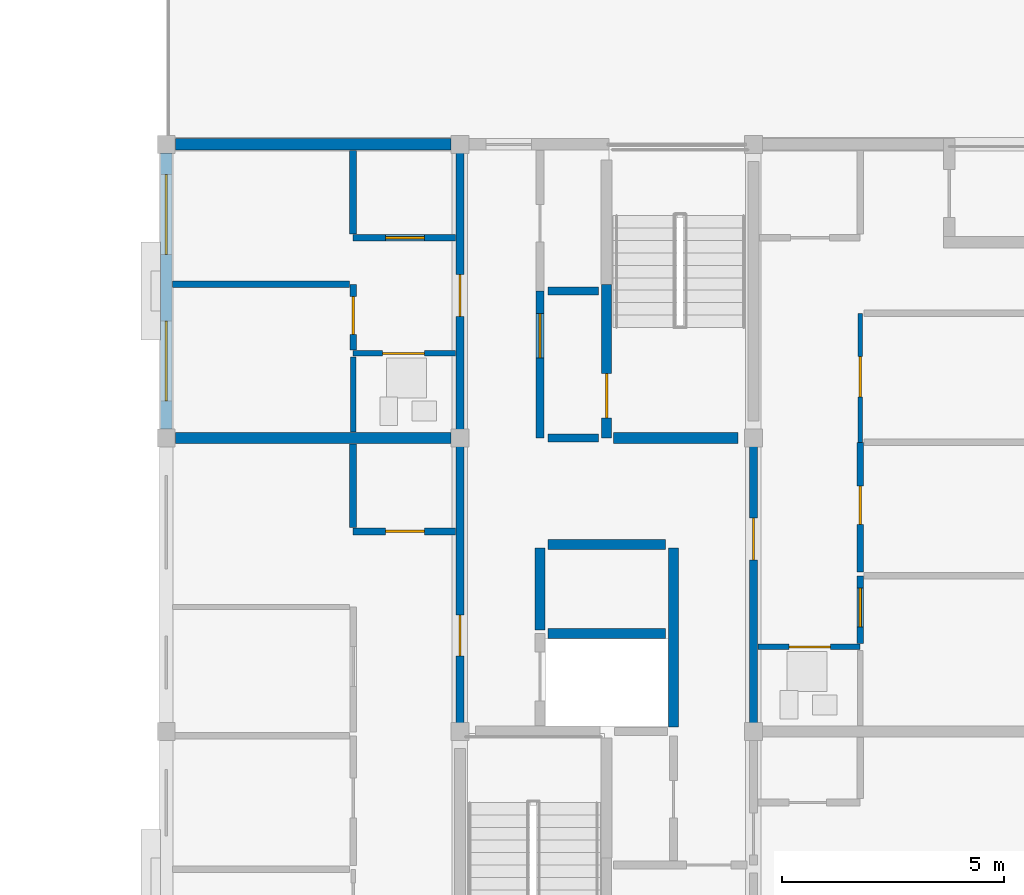
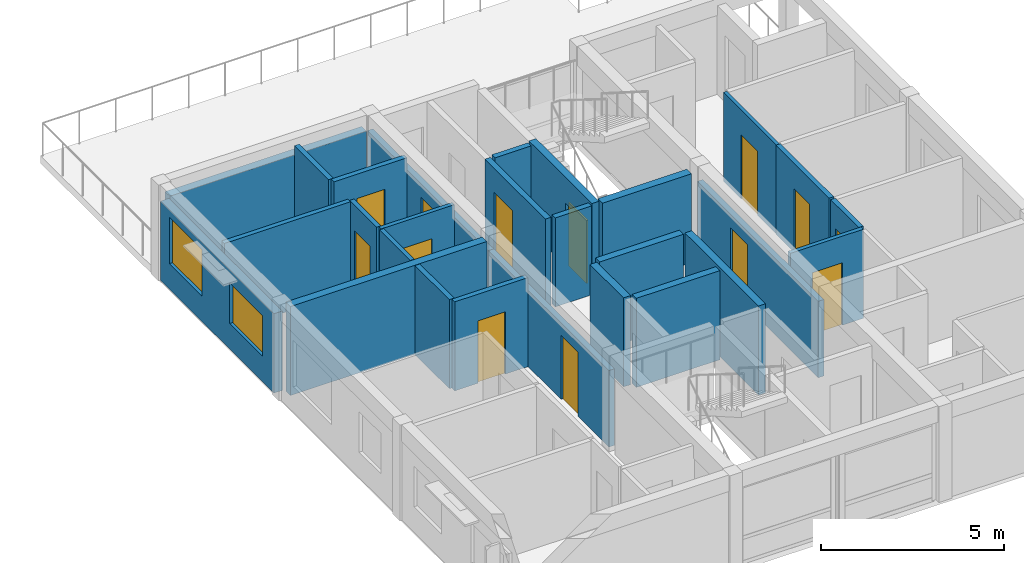
# One storey, part 18 of 37: 27 walls, 13 doors, 2 windows, 15 openings.
"""IFC4 building model written with IfcOpenShell, lengths in metres."""

from ifc_helpers import new_model, si_unit, direction, frame, frame_2d, origin, place, context, subcontext, project, spatial, rectangle, extrude, material, layer, layer_set, type_object, element, fill, save


model = new_model("IFC4")

# Units and contexts
model_context = context("Model", 3, precision=1e-05, world=origin(), true_north=direction((0.0, 1.0)))
body_context = subcontext(model_context, "Body", "Model", "MODEL_VIEW")
ifc_project = project(units=[si_unit("LENGTHUNIT", "METRE"), si_unit("AREAUNIT", "SQUARE_METRE"), si_unit("VOLUMEUNIT", "CUBIC_METRE"), si_unit("PLANEANGLEUNIT", "RADIAN"), si_unit("MASSUNIT", "GRAM", prefix="KILO")], contexts=[model_context])

# Site, building, storey
site_placement = place(None, origin())
site = spatial("IfcSite", under=ifc_project, at=site_placement, CompositionType="ELEMENT")
building_placement = place(site_placement, origin())
building = spatial("IfcBuilding", under=site, at=building_placement, Name="Kernevlak Ridge Housing Community", CompositionType="ELEMENT")
storey_placement = place(building_placement, frame((0.0, 0.0, 37.199951171875)))
storey = spatial("IfcBuildingStorey", under=building, at=storey_placement, Name="L11", CompositionType="ELEMENT", Elevation=37.199951171875)

# Wall, openings, windows
ifc_material_1 = material(Name="Concrete block masonry M10", Category="masonry")
ifc_layer_1 = layer(ifc_material_1, 0.260009765625, Name="Concrete block masonry M10")
ifc_layer_set_1 = layer_set([ifc_layer_1], Name="Concrete block masonry M10")
wall_type_1 = type_object("IfcWallType", Name="EW-05", PredefinedType="STANDARD", material=ifc_layer_set_1)
wall_1_placement = place(storey_placement, frame((126.0, 29.0, 0.0), z_axis=(0.0, 0.0, 1.0), x_axis=(0.0, 1.0, 0.0)))
wall_1 = element("IfcWall", 1, at=wall_1_placement, inside=storey, type_object=wall_type_1, Name="Exterior wall EW-05 L11 686", PredefinedType="STANDARD", context=body_context, shape_type="SweptSolid", body=[
    extrude(rectangle(XDim=6.199951171875, YDim=0.260009765625, at=frame_2d((3.10009765625, 0.0))), origin(), (0.0, 0.0, 1.0), 2.650146484375),
])
opening_1_placement = place(wall_1_placement, frame((0.625, 0.0, 0.85009765625)))
opening_1 = element("IfcOpeningElement", 2, at=opening_1_placement, cuts=wall_1, Name="Opening WT-03", PredefinedType="OPENING", context=body_context, shape_type="SweptSolid", body=[
    extrude(rectangle(XDim=1.800048828125, YDim=1.35009765625, at=frame_2d((0.89990234375, 0.675048828125))), frame((0.0, 0.139892578125, 0.0), z_axis=(0.0, -1.0, 0.0), x_axis=(1.0, 0.0, 0.0)), (0.0, 0.0, 1.0), 0.280029296875),
])
opening_2_placement = place(wall_1_placement, frame((3.925048828125, 0.0, 0.85009765625)))
opening_2 = element("IfcOpeningElement", 3, at=opening_2_placement, cuts=wall_1, Name="Opening WT-04", PredefinedType="OPENING", context=body_context, shape_type="SweptSolid", body=[
    extrude(rectangle(XDim=1.800048828125, YDim=1.550048828125, at=frame_2d((0.89990234375, 0.77490234375))), frame((0.0, 0.139892578125, 0.0), z_axis=(0.0, -1.0, 0.0), x_axis=(1.0, 0.0, 0.0)), (0.0, 0.0, 1.0), 0.280029296875),
])
ifc_material_2 = material(Name="Aluminium EN AW-6060 anodised and laminated glass", Category="aluminium")
window_type_1 = type_object("IfcWindowType", Name="WT-03", PartitioningType="SINGLE_PANEL", PredefinedType="WINDOW", material=ifc_material_2)
window_1_placement = place(opening_1_placement, origin())
window_1 = element("IfcWindow", 4, at=window_1_placement, inside=storey, type_object=window_type_1, Name="Window WT-03 L11 560", OverallHeight=1.35009765625, OverallWidth=1.800048828125, PartitioningType="SINGLE_PANEL", PredefinedType="WINDOW", context=body_context, shape_type="SweptSolid", body=[
    extrude(rectangle(XDim=1.800048828125, YDim=1.35009765625, at=frame_2d((0.89990234375, 0.675048828125))), frame((0.0, 0.030029296875, 0.0), z_axis=(0.0, -1.0, 0.0), x_axis=(1.0, 0.0, 0.0)), (0.0, 0.0, 1.0), 0.06005859375),
])
fill(opening_1, window_1)
window_type_2 = type_object("IfcWindowType", Name="WT-04", PartitioningType="SINGLE_PANEL", PredefinedType="WINDOW", material=ifc_material_2)
window_2_placement = place(opening_2_placement, origin())
window_2 = element("IfcWindow", 5, at=window_2_placement, inside=storey, type_object=window_type_2, Name="Window WT-04 L11 561", OverallHeight=1.550048828125, OverallWidth=1.800048828125, PartitioningType="SINGLE_PANEL", PredefinedType="WINDOW", context=body_context, shape_type="SweptSolid", body=[
    extrude(rectangle(XDim=1.800048828125, YDim=1.550048828125, at=frame_2d((0.89990234375, 0.77490234375))), frame((0.0, 0.030029296875, 0.0), z_axis=(0.0, -1.0, 0.0), x_axis=(1.0, 0.0, 0.0)), (0.0, 0.0, 1.0), 0.06005859375),
])
fill(opening_2, window_2)

# Walls
wall_2_placement = place(storey_placement, frame((126.199951171875, 35.39990234375, 0.0), z_axis=(0.0, 0.0, 1.0), x_axis=(1.0, 0.0, 0.0)))
element("IfcWall", 6, at=wall_2_placement, inside=storey, type_object=wall_type_1, Name="Exterior wall EW-05 L11 694", PredefinedType="STANDARD", context=body_context, shape_type="SweptSolid", body=[
    extrude(rectangle(XDim=6.199951171875, YDim=0.260009765625, at=frame_2d((3.10009765625, 0.0))), origin(), (0.0, 0.0, 1.0), 2.650146484375),
])
ifc_material_3 = material(Name="Concrete C35/45", Category="concrete")
ifc_layer_2 = layer(ifc_material_3, 0.22509765625, Name="Concrete C35/45")
ifc_layer_set_2 = layer_set([ifc_layer_2], Name="Concrete C35/45")
wall_type_2 = type_object("IfcWallType", Name="PW-01", PredefinedType="STANDARD", material=ifc_layer_set_2)
wall_3_placement = place(storey_placement, frame((134.39990234375, 24.47998046875, 0.0), z_axis=(0.0, 0.0, 1.0), x_axis=(0.0, 1.0, 0.0)))
element("IfcWall", 7, at=wall_3_placement, inside=storey, type_object=wall_type_2, Name="Interior wall PW-01 WAL-INT-L11-2795", PredefinedType="STANDARD", context=body_context, shape_type="SweptSolid", body=[
    extrude(rectangle(XDim=1.840087890625, YDim=0.22509765625, at=frame_2d((0.919921875, 0.0))), origin(), (0.0, 0.0, 1.0), 2.969970703125),
])
wall_4_placement = place(storey_placement, frame((137.39990234375, 22.297607421875, 0.0), z_axis=(0.0, 0.0, 1.0), x_axis=(0.0, 1.0, 0.0)))
element("IfcWall", 8, at=wall_4_placement, inside=storey, type_object=wall_type_2, Name="Interior wall PW-01 WAL-INT-L11-2796", PredefinedType="STANDARD", context=body_context, shape_type="SweptSolid", body=[
    extrude(rectangle(XDim=4.0224609375, YDim=0.22509765625, at=frame_2d((2.01123046875, 0.0))), origin(), (0.0, 0.0, 1.0), 2.969970703125),
])
for number, where, z_axis, x_axis, name in (
    (9, (134.580078125, 24.39990234375, 0.0), (0.0, 0.0, 1.0), (1.0, 0.0, 0.0), "Interior wall PW-01 WAL-INT-L11-2798"),
    (10, (134.580078125, 26.39990234375, 0.0), (0.0, 0.0, 1.0), (1.0, 0.0, 0.0), "Interior wall PW-01 WAL-INT-L11-2799"),
):
    element("IfcWall", number, at=place(storey_placement, frame(where, z_axis=z_axis, x_axis=x_axis)), inside=storey, type_object=wall_type_2, Name=name, PredefinedType="STANDARD", context=body_context, shape_type="SweptSolid", body=[
        extrude(rectangle(XDim=2.639892578125, YDim=0.22509765625, at=frame_2d((1.31982421875, 0.0))), origin(), (0.0, 0.0, 1.0), 2.969970703125),
    ])

# Wall, opening, door
wall_5_placement = place(storey_placement, frame((135.89990234375, 28.800048828125, 0.0), z_axis=(0.0, 0.0, 1.0), x_axis=(0.0, 1.0, 0.0)))
wall_5 = element("IfcWall", 11, at=wall_5_placement, inside=storey, type_object=wall_type_2, Name="Interior wall PW-01 WAL-INT-L11-2800", PredefinedType="STANDARD", context=body_context, shape_type="SweptSolid", body=[
    extrude(rectangle(XDim=3.449951171875, YDim=0.22509765625, at=frame_2d((1.72509765625, 0.0))), origin(), (0.0, 0.0, 1.0), 2.969970703125),
])
opening_3_placement = place(wall_5_placement, frame((0.449951171875, 0.0, 0.0)))
opening_3 = element("IfcOpeningElement", 12, at=opening_3_placement, cuts=wall_5, Name="Opening E419", PredefinedType="OPENING", context=body_context, shape_type="SweptSolid", body=[
    extrude(rectangle(XDim=1.0, YDim=2.10009765625, at=frame_2d((0.5, 1.050048828125))), frame((0.0, 0.12255859375, 0.0), z_axis=(0.0, -1.0, 0.0), x_axis=(1.0, 0.0, 0.0)), (0.0, 0.0, 1.0), 0.2451171875),
])
ifc_material_4 = material(Name="Fire-rated sheet steel leaf", Category="steel")
door_type_1 = type_object("IfcDoorType", Name="DT-05", OperationType="NOTDEFINED", PredefinedType="DOOR", material=ifc_material_4)
door_1_placement = place(opening_3_placement, origin())
door_1 = element("IfcDoor", 13, at=door_1_placement, inside=storey, type_object=door_type_1, Name="Block C Stair 2 fire door E419", OperationType="SINGLE_SWING_RIGHT", OverallHeight=2.10009765625, OverallWidth=1.0, PredefinedType="DOOR", context=body_context, shape_type="SweptSolid", body=[
    extrude(rectangle(XDim=1.0, YDim=2.10009765625, at=frame_2d((0.5, 1.050048828125))), frame((0.0, 0.02490234375, 0.0), z_axis=(0.0, -1.0, 0.0), x_axis=(1.0, 0.0, 0.0)), (0.0, 0.0, 1.0), 0.050048828125),
])
fill(opening_3, door_1)

ifc_layer_3 = layer(ifc_material_1, 0.175048828125, Name="Concrete block masonry M10")
ifc_layer_set_3 = layer_set([ifc_layer_3], Name="Concrete block masonry M10")
wall_type_3 = type_object("IfcWallType", Name="PW-02", PredefinedType="PARTITIONING", material=ifc_layer_set_3)
wall_6_placement = place(storey_placement, frame((134.39990234375, 28.800048828125, 0.0), z_axis=(0.0, 0.0, 1.0), x_axis=(0.0, 1.0, 0.0)))
wall_6 = element("IfcWall", 14, at=wall_6_placement, inside=storey, type_object=wall_type_3, Name="Interior wall PW-02 WAL-INT-L11-2801", PredefinedType="PARTITIONING", context=body_context, shape_type="SweptSolid", body=[
    extrude(rectangle(XDim=3.300048828125, YDim=0.175048828125, at=frame_2d((1.64990234375, 0.0))), origin(), (0.0, 0.0, 1.0), 2.969970703125),
])
opening_4_placement = place(wall_6_placement, frame((1.800048828125, 0.0, 0.0)))
opening_4 = element("IfcOpeningElement", 15, at=opening_4_placement, cuts=wall_6, Name="Opening E420", PredefinedType="OPENING", context=body_context, shape_type="SweptSolid", body=[
    extrude(rectangle(XDim=1.0, YDim=2.159912109375, at=frame_2d((0.5, 1.080078125))), frame((0.0, 0.097412109375, 0.0), z_axis=(0.0, -1.0, 0.0), x_axis=(1.0, 0.0, 0.0)), (0.0, 0.0, 1.0), 0.195068359375),
])
door_type_2 = type_object("IfcDoorType", Name="DT-15", OperationType="NOTDEFINED", PredefinedType="DOOR", material=ifc_material_4)
door_2_placement = place(opening_4_placement, origin())
door_2 = element("IfcDoor", 16, at=door_2_placement, inside=storey, type_object=door_type_2, Name="Block C Firefighting lobby 2 door E420", OperationType="SINGLE_SWING_LEFT", OverallHeight=2.159912109375, OverallWidth=1.0, PredefinedType="DOOR", context=body_context, shape_type="SweptSolid", body=[
    extrude(rectangle(XDim=1.0, YDim=2.159912109375, at=frame_2d((0.5, 1.080078125))), frame((0.0, 0.02490234375, 0.0), z_axis=(0.0, -1.0, 0.0), x_axis=(1.0, 0.0, 0.0)), (0.0, 0.0, 1.0), 0.050048828125),
])
fill(opening_4, door_2)

# Walls
for number, where, z_axis, x_axis, name in (
    (17, (134.580078125, 28.800048828125, 0.0), (0.0, 0.0, 1.0), (1.0, 0.0, 0.0), "Interior wall PW-02 WAL-INT-L11-2803"),
    (18, (134.580078125, 32.10009765625, 0.0), (0.0, 0.0, 1.0), (1.0, 0.0, 0.0), "Interior wall PW-02 WAL-INT-L11-2804"),
):
    element("IfcWall", number, at=place(storey_placement, frame(where, z_axis=z_axis, x_axis=x_axis)), inside=storey, type_object=wall_type_3, Name=name, PredefinedType="PARTITIONING", context=body_context, shape_type="SweptSolid", body=[
        extrude(rectangle(XDim=1.139892578125, YDim=0.175048828125, at=frame_2d((0.56982421875, 0.0))), origin(), (0.0, 0.0, 1.0), 2.969970703125),
    ])

# Wall, opening, door
wall_7_placement = place(storey_placement, frame((132.60009765625, 22.199951171875, 0.0), z_axis=(0.0, 0.0, 1.0), x_axis=(0.0, 1.0, 0.0)))
wall_7 = element("IfcWall", 19, at=wall_7_placement, inside=storey, type_object=wall_type_3, Name="Interior wall PW-02 WAL-INT-L11-2806", PredefinedType="PARTITIONING", context=body_context, shape_type="SweptSolid", body=[
    extrude(rectangle(XDim=6.60009765625, YDim=0.175048828125, at=frame_2d((3.300048828125, 0.0))), origin(), (0.0, 0.0, 1.0), 2.550048828125),
])
opening_5_placement = place(wall_7_placement, frame((1.699951171875, 0.0, 0.0)))
opening_5 = element("IfcOpeningElement", 20, at=opening_5_placement, cuts=wall_7, Name="Opening E423", PredefinedType="OPENING", context=body_context, shape_type="SweptSolid", body=[
    extrude(rectangle(XDim=0.919921875, YDim=2.139892578125, at=frame_2d((0.4599609375, 1.06982421875))), frame((0.0, 0.097412109375, 0.0), z_axis=(0.0, -1.0, 0.0), x_axis=(1.0, 0.0, 0.0)), (0.0, 0.0, 1.0), 0.195068359375),
])
ifc_material_5 = material(Name="Hardwood timber solid-core fire leaf", Category="wood")
door_type_3 = type_object("IfcDoorType", Name="DT-20", OperationType="NOTDEFINED", PredefinedType="DOOR", material=ifc_material_5)
door_3_placement = place(opening_5_placement, origin())
door_3 = element("IfcDoor", 21, at=door_3_placement, inside=storey, type_object=door_type_3, Name="Flat C1111 entrance fire door E423", OperationType="SINGLE_SWING_RIGHT", OverallHeight=2.139892578125, OverallWidth=0.919921875, PredefinedType="DOOR", context=body_context, shape_type="SweptSolid", body=[
    extrude(rectangle(XDim=0.919921875, YDim=2.139892578125, at=frame_2d((0.4599609375, 1.06982421875))), frame((0.0, 0.02490234375, 0.0), z_axis=(0.0, -1.0, 0.0), x_axis=(1.0, 0.0, 0.0)), (0.0, 0.0, 1.0), 0.050048828125),
])
fill(opening_5, door_3)

wall_8_placement = place(storey_placement, frame((132.60009765625, 28.800048828125, 0.0), z_axis=(0.0, 0.0, 1.0), x_axis=(0.0, 1.0, 0.0)))
wall_8 = element("IfcWall", 22, at=wall_8_placement, inside=storey, type_object=wall_type_3, Name="Interior wall PW-02 WAL-INT-L11-2817", PredefinedType="PARTITIONING", context=body_context, shape_type="SweptSolid", body=[
    extrude(rectangle(XDim=6.599853515625, YDim=0.175048828125, at=frame_2d((3.2998046875, 0.0))), origin(), (0.0, 0.0, 1.0), 2.550048828125),
])
opening_6_placement = place(wall_8_placement, frame((2.72509765625, 0.0, 0.0)))
opening_6 = element("IfcOpeningElement", 23, at=opening_6_placement, cuts=wall_8, Name="Opening E429", PredefinedType="OPENING", context=body_context, shape_type="SweptSolid", body=[
    extrude(rectangle(XDim=0.949951171875, YDim=2.10009765625, at=frame_2d((0.47509765625, 1.050048828125))), frame((0.0, 0.097412109375, 0.0), z_axis=(0.0, -1.0, 0.0), x_axis=(1.0, 0.0, 0.0)), (0.0, 0.0, 1.0), 0.195068359375),
])
door_type_4 = type_object("IfcDoorType", Name="DT-01", OperationType="NOTDEFINED", PredefinedType="DOOR", material=ifc_material_5)
door_4_placement = place(opening_6_placement, origin())
door_4 = element("IfcDoor", 24, at=door_4_placement, inside=storey, type_object=door_type_4, Name="Flat C1112 entrance fire door E429", OperationType="SINGLE_SWING_RIGHT", OverallHeight=2.10009765625, OverallWidth=0.949951171875, PredefinedType="DOOR", context=body_context, shape_type="SweptSolid", body=[
    extrude(rectangle(XDim=0.949951171875, YDim=2.10009765625, at=frame_2d((0.47509765625, 1.050048828125))), frame((0.0, 0.02490234375, 0.0), z_axis=(0.0, -1.0, 0.0), x_axis=(1.0, 0.0, 0.0)), (0.0, 0.0, 1.0), 0.050048828125),
])
fill(opening_6, door_4)

wall_9_placement = place(storey_placement, frame((139.199951171875, 22.199951171875, 0.0), z_axis=(0.0, 0.0, 1.0), x_axis=(0.0, 1.0, 0.0)))
wall_9 = element("IfcWall", 25, at=wall_9_placement, inside=storey, type_object=wall_type_3, Name="Interior wall PW-02 WAL-INT-L11-2832", PredefinedType="PARTITIONING", context=body_context, shape_type="SweptSolid", body=[
    extrude(rectangle(XDim=6.60009765625, YDim=0.175048828125, at=frame_2d((3.300048828125, 0.0))), origin(), (0.0, 0.0, 1.0), 2.550048828125),
])
opening_7_placement = place(wall_9_placement, frame((3.85009765625, 0.0, 0.0)))
opening_7 = element("IfcOpeningElement", 26, at=opening_7_placement, cuts=wall_9, Name="Opening E437", PredefinedType="OPENING", context=body_context, shape_type="SweptSolid", body=[
    extrude(rectangle(XDim=0.949951171875, YDim=2.10009765625, at=frame_2d((0.47509765625, 1.050048828125))), frame((0.0, 0.097412109375, 0.0), z_axis=(0.0, -1.0, 0.0), x_axis=(1.0, 0.0, 0.0)), (0.0, 0.0, 1.0), 0.195068359375),
])
door_5_placement = place(opening_7_placement, origin())
door_5 = element("IfcDoor", 27, at=door_5_placement, inside=storey, type_object=door_type_4, Name="Flat C1122 entrance fire door E437", OperationType="SINGLE_SWING_RIGHT", OverallHeight=2.10009765625, OverallWidth=0.949951171875, PredefinedType="DOOR", context=body_context, shape_type="SweptSolid", body=[
    extrude(rectangle(XDim=0.949951171875, YDim=2.10009765625, at=frame_2d((0.47509765625, 1.050048828125))), frame((0.0, 0.02490234375, 0.0), z_axis=(0.0, -1.0, 0.0), x_axis=(1.0, 0.0, 0.0)), (0.0, 0.0, 1.0), 0.050048828125),
])
fill(opening_7, door_5)

ifc_layer_4 = layer(ifc_material_1, 0.14501953125, Name="Concrete block masonry M10")
ifc_layer_set_4 = layer_set([ifc_layer_4], Name="Concrete block masonry M10")
wall_type_4 = type_object("IfcWallType", Name="PW-03", PredefinedType="PARTITIONING", material=ifc_layer_set_4)
wall_10_placement = place(storey_placement, frame((130.199951171875, 30.7724609375, 0.0), z_axis=(0.0, 0.0, 1.0), x_axis=(0.0, 1.0, 0.0)))
wall_10 = element("IfcWall", 28, at=wall_10_placement, inside=storey, type_object=wall_type_4, Name="Interior wall PW-03 WAL-INT-L11-2822", PredefinedType="PARTITIONING", context=body_context, shape_type="SweptSolid", body=[
    extrude(rectangle(XDim=1.4775390625, YDim=0.14501953125, at=frame_2d((0.73876953125, 0.0))), origin(), (0.0, 0.0, 1.0), 2.969970703125),
])
opening_8_placement = place(wall_10_placement, frame((0.35009765625, 0.0, 0.0)))
opening_8 = element("IfcOpeningElement", 29, at=opening_8_placement, cuts=wall_10, Name="Opening E432", PredefinedType="OPENING", context=body_context, shape_type="SweptSolid", body=[
    extrude(rectangle(XDim=0.860107421875, YDim=2.1201171875, at=frame_2d((0.43017578125, 1.06005859375))), frame((0.0, 0.08251953125, 0.0), z_axis=(0.0, -1.0, 0.0), x_axis=(1.0, 0.0, 0.0)), (0.0, 0.0, 1.0), 0.1650390625),
])
ifc_material_6 = material(Name="Hardwood timber leaf", Category="wood")
door_type_5 = type_object("IfcDoorType", Name="DT-28", OperationType="NOTDEFINED", PredefinedType="DOOR", material=ifc_material_6)
door_6_placement = place(opening_8_placement, origin())
door_6 = element("IfcDoor", 30, at=door_6_placement, inside=storey, type_object=door_type_5, Name="Flat C1112 bedroom door E432", OperationType="SINGLE_SWING_LEFT", OverallHeight=2.1201171875, OverallWidth=0.860107421875, PredefinedType="DOOR", context=body_context, shape_type="SweptSolid", body=[
    extrude(rectangle(XDim=0.860107421875, YDim=2.1201171875, at=frame_2d((0.43017578125, 1.06005859375))), frame((0.0, 0.02490234375, 0.0), z_axis=(0.0, -1.0, 0.0), x_axis=(1.0, 0.0, 0.0)), (0.0, 0.0, 1.0), 0.050048828125),
])
fill(opening_8, door_6)

# Wall
wall_11_placement = place(storey_placement, frame((130.117431640625, 32.25, 0.0), z_axis=(0.0, 0.0, 1.0), x_axis=(-1.0, 0.0, 0.0)))
element("IfcWall", 31, at=wall_11_placement, inside=storey, type_object=wall_type_4, Name="Interior wall PW-03 WAL-INT-L11-2823", PredefinedType="PARTITIONING", context=body_context, shape_type="SweptSolid", body=[
    extrude(rectangle(XDim=3.9775390625, YDim=0.14501953125, at=frame_2d((1.98876953125, 0.0))), origin(), (0.0, 0.0, 1.0), 2.969970703125),
])

# Wall, opening, door
wall_12_placement = place(storey_placement, frame((141.60009765625, 24.172607421875, 0.0), z_axis=(0.0, 0.0, 1.0), x_axis=(0.0, 1.0, 0.0)))
wall_12 = element("IfcWall", 32, at=wall_12_placement, inside=storey, type_object=wall_type_4, Name="Interior wall PW-03 WAL-INT-L11-2837", PredefinedType="PARTITIONING", context=body_context, shape_type="SweptSolid", body=[
    extrude(rectangle(XDim=1.52734375, YDim=0.14501953125, at=frame_2d((0.763671875, 0.0))), origin(), (0.0, 0.0, 1.0), 2.969970703125),
])
opening_9_placement = place(wall_12_placement, frame((0.375, 0.0, 0.0)))
opening_9 = element("IfcOpeningElement", 33, at=opening_9_placement, cuts=wall_12, Name="Opening E440", PredefinedType="OPENING", context=body_context, shape_type="SweptSolid", body=[
    extrude(rectangle(XDim=0.8798828125, YDim=2.159912109375, at=frame_2d((0.43994140625, 1.080078125))), frame((0.0, 0.08251953125, 0.0), z_axis=(0.0, -1.0, 0.0), x_axis=(1.0, 0.0, 0.0)), (0.0, 0.0, 1.0), 0.1650390625),
])
door_type_6 = type_object("IfcDoorType", Name="DT-26", OperationType="NOTDEFINED", PredefinedType="DOOR", material=ifc_material_6)
door_7_placement = place(opening_9_placement, origin())
door_7 = element("IfcDoor", 34, at=door_7_placement, inside=storey, type_object=door_type_6, Name="Flat C1122 bedroom door E440", OperationType="SINGLE_SWING_LEFT", OverallHeight=2.159912109375, OverallWidth=0.8798828125, PredefinedType="DOOR", context=body_context, shape_type="SweptSolid", body=[
    extrude(rectangle(XDim=0.8798828125, YDim=2.159912109375, at=frame_2d((0.43994140625, 1.080078125))), frame((0.0, 0.02490234375, 0.0), z_axis=(0.0, -1.0, 0.0), x_axis=(1.0, 0.0, 0.0)), (0.0, 0.0, 1.0), 0.050048828125),
])
fill(opening_9, door_7)

wall_13_placement = place(storey_placement, frame((141.60009765625, 25.782470703125, 0.0), z_axis=(0.0, 0.0, 1.0), x_axis=(0.0, 1.0, 0.0)))
wall_13 = element("IfcWall", 35, at=wall_13_placement, inside=storey, type_object=wall_type_4, Name="Interior wall PW-03 WAL-INT-L11-2839", PredefinedType="PARTITIONING", context=body_context, shape_type="SweptSolid", body=[
    extrude(rectangle(XDim=2.91748046875, YDim=0.14501953125, at=frame_2d((1.458740234375, 0.0))), origin(), (0.0, 0.0, 1.0), 2.969970703125),
])
opening_10_placement = place(wall_13_placement, frame((1.074951171875, 0.0, 0.0)))
opening_10 = element("IfcOpeningElement", 36, at=opening_10_placement, cuts=wall_13, Name="Opening E441", PredefinedType="OPENING", context=body_context, shape_type="SweptSolid", body=[
    extrude(rectangle(XDim=0.860107421875, YDim=2.1201171875, at=frame_2d((0.43017578125, 1.06005859375))), frame((0.0, 0.08251953125, 0.0), z_axis=(0.0, -1.0, 0.0), x_axis=(1.0, 0.0, 0.0)), (0.0, 0.0, 1.0), 0.1650390625),
])
door_8_placement = place(opening_10_placement, origin())
door_8 = element("IfcDoor", 37, at=door_8_placement, inside=storey, type_object=door_type_5, Name="Flat C1122 bedroom door E441", OperationType="SINGLE_SWING_RIGHT", OverallHeight=2.1201171875, OverallWidth=0.860107421875, PredefinedType="DOOR", context=body_context, shape_type="SweptSolid", body=[
    extrude(rectangle(XDim=0.860107421875, YDim=2.1201171875, at=frame_2d((0.43017578125, 1.06005859375))), frame((0.0, 0.02490234375, 0.0), z_axis=(0.0, -1.0, 0.0), x_axis=(1.0, 0.0, 0.0)), (0.0, 0.0, 1.0), 0.050048828125),
])
fill(opening_10, door_8)

ifc_material_7 = material(Name="Gypsum plasterboard EN 520", Category="gypsum")
ifc_layer_5 = layer(ifc_material_7, 0.125, Name="Gypsum plasterboard EN 520")
ifc_layer_set_5 = layer_set([ifc_layer_5], Name="Gypsum plasterboard EN 520")
wall_type_5 = type_object("IfcWallType", Name="PW-04", PredefinedType="PARTITIONING", material=ifc_layer_set_5)
wall_14_placement = place(storey_placement, frame((132.50244140625, 30.699951171875, 0.0), z_axis=(0.0, 0.0, 1.0), x_axis=(-1.0, 0.0, 0.0)))
wall_14 = element("IfcWall", 38, at=wall_14_placement, inside=storey, type_object=wall_type_5, Name="Interior wall PW-04 WAL-INT-L11-2818", PredefinedType="PARTITIONING", context=body_context, shape_type="SweptSolid", body=[
    extrude(rectangle(XDim=2.302490234375, YDim=0.125, at=frame_2d((1.1513671875, 0.0))), origin(), (0.0, 0.0, 1.0), 2.969970703125),
])
opening_11_placement = place(wall_14_placement, frame((0.699951171875, 0.0, 0.0)))
opening_11 = element("IfcOpeningElement", 39, at=opening_11_placement, cuts=wall_14, Name="Opening E430", PredefinedType="OPENING", context=body_context, shape_type="SweptSolid", body=[
    extrude(rectangle(XDim=0.93994140625, YDim=2.080078125, at=frame_2d((0.469970703125, 1.0400390625))), frame((0.0, 0.072509765625, 0.0), z_axis=(0.0, -1.0, 0.0), x_axis=(1.0, 0.0, 0.0)), (0.0, 0.0, 1.0), 0.14501953125),
])
ifc_material_8 = material(Name="Hardwood timber moisture-resistant leaf", Category="wood")
door_type_7 = type_object("IfcDoorType", Name="DT-23", OperationType="NOTDEFINED", PredefinedType="DOOR", material=ifc_material_8)
door_9_placement = place(opening_11_placement, origin())
door_9 = element("IfcDoor", 40, at=door_9_placement, inside=storey, type_object=door_type_7, Name="Flat C1112 bathroom door E430", OperationType="SINGLE_SWING_LEFT", OverallHeight=2.080078125, OverallWidth=0.93994140625, PredefinedType="DOOR", context=body_context, shape_type="SweptSolid", body=[
    extrude(rectangle(XDim=0.93994140625, YDim=2.080078125, at=frame_2d((0.469970703125, 1.0400390625))), frame((0.0, 0.02490234375, 0.0), z_axis=(0.0, -1.0, 0.0), x_axis=(1.0, 0.0, 0.0)), (0.0, 0.0, 1.0), 0.050048828125),
])
fill(opening_11, door_9)

# Wall
wall_15_placement = place(storey_placement, frame((130.199951171875, 28.93505859375, 0.0), z_axis=(0.0, 0.0, 1.0), x_axis=(0.0, 1.0, 0.0)))
element("IfcWall", 41, at=wall_15_placement, inside=storey, type_object=wall_type_5, Name="Interior wall PW-04 WAL-INT-L11-2819", PredefinedType="PARTITIONING", context=body_context, shape_type="SweptSolid", body=[
    extrude(rectangle(XDim=1.68505859375, YDim=0.125, at=frame_2d((0.842529296875, 0.0))), origin(), (0.0, 0.0, 1.0), 2.969970703125),
])

# Wall, opening, door
wall_16_placement = place(storey_placement, frame((139.297607421875, 24.10009765625, 0.0), z_axis=(0.0, 0.0, 1.0), x_axis=(1.0, 0.0, 0.0)))
wall_16 = element("IfcWall", 42, at=wall_16_placement, inside=storey, type_object=wall_type_5, Name="Interior wall PW-04 WAL-INT-L11-2833", PredefinedType="PARTITIONING", context=body_context, shape_type="SweptSolid", body=[
    extrude(rectangle(XDim=2.302490234375, YDim=0.125, at=frame_2d((1.1513671875, 0.0))), origin(), (0.0, 0.0, 1.0), 2.969970703125),
])
opening_12_placement = place(wall_16_placement, frame((0.699951171875, 0.0, 0.0)))
opening_12 = element("IfcOpeningElement", 43, at=opening_12_placement, cuts=wall_16, Name="Opening E438", PredefinedType="OPENING", context=body_context, shape_type="SweptSolid", body=[
    extrude(rectangle(XDim=0.93994140625, YDim=2.080078125, at=frame_2d((0.469970703125, 1.0400390625))), frame((0.0, 0.072509765625, 0.0), z_axis=(0.0, -1.0, 0.0), x_axis=(1.0, 0.0, 0.0)), (0.0, 0.0, 1.0), 0.14501953125),
])
door_10_placement = place(opening_12_placement, origin())
door_10 = element("IfcDoor", 44, at=door_10_placement, inside=storey, type_object=door_type_7, Name="Flat C1122 bathroom door E438", OperationType="SINGLE_SWING_LEFT", OverallHeight=2.080078125, OverallWidth=0.93994140625, PredefinedType="DOOR", context=body_context, shape_type="SweptSolid", body=[
    extrude(rectangle(XDim=0.93994140625, YDim=2.080078125, at=frame_2d((0.469970703125, 1.0400390625))), frame((0.0, 0.02490234375, 0.0), z_axis=(0.0, -1.0, 0.0), x_axis=(1.0, 0.0, 0.0)), (0.0, 0.0, 1.0), 0.050048828125),
])
fill(opening_12, door_10)

ifc_layer_6 = layer(ifc_material_7, 0.155029296875, Name="Gypsum plasterboard EN 520")
ifc_layer_set_6 = layer_set([ifc_layer_6], Name="Gypsum plasterboard EN 520")
wall_type_6 = type_object("IfcWallType", Name="PW-05", PredefinedType="PARTITIONING", material=ifc_layer_set_6)
wall_17_placement = place(storey_placement, frame((132.50244140625, 26.699951171875, 0.0), z_axis=(0.0, 0.0, 1.0), x_axis=(-1.0, 0.0, 0.0)))
wall_17 = element("IfcWall", 45, at=wall_17_placement, inside=storey, type_object=wall_type_6, Name="Interior wall PW-05 WAL-INT-L11-2809", PredefinedType="PARTITIONING", context=body_context, shape_type="SweptSolid", body=[
    extrude(rectangle(XDim=2.302490234375, YDim=0.155029296875, at=frame_2d((1.1513671875, 0.0))), origin(), (0.0, 0.0, 1.0), 2.969970703125),
])
opening_13_placement = place(wall_17_placement, frame((0.699951171875, 0.0, 0.0)))
opening_13 = element("IfcOpeningElement", 46, at=opening_13_placement, cuts=wall_17, Name="Opening E425", PredefinedType="OPENING", context=body_context, shape_type="SweptSolid", body=[
    extrude(rectangle(XDim=0.8701171875, YDim=2.080078125, at=frame_2d((0.43505859375, 1.0400390625))), frame((0.0, 0.08740234375, 0.0), z_axis=(0.0, -1.0, 0.0), x_axis=(1.0, 0.0, 0.0)), (0.0, 0.0, 1.0), 0.175048828125),
])
door_type_8 = type_object("IfcDoorType", Name="DT-32", OperationType="NOTDEFINED", PredefinedType="DOOR", material=ifc_material_6)
door_11_placement = place(opening_13_placement, origin())
door_11 = element("IfcDoor", 47, at=door_11_placement, inside=storey, type_object=door_type_8, Name="Flat C1111 kitchen door E425", OperationType="SINGLE_SWING_RIGHT", OverallHeight=2.080078125, OverallWidth=0.8701171875, PredefinedType="DOOR", context=body_context, shape_type="SweptSolid", body=[
    extrude(rectangle(XDim=0.8701171875, YDim=2.080078125, at=frame_2d((0.43505859375, 1.0400390625))), frame((0.0, 0.02490234375, 0.0), z_axis=(0.0, -1.0, 0.0), x_axis=(1.0, 0.0, 0.0)), (0.0, 0.0, 1.0), 0.050048828125),
])
fill(opening_13, door_11)

# Wall
wall_18_placement = place(storey_placement, frame((130.199951171875, 26.78759765625, 0.0), z_axis=(0.0, 0.0, 1.0), x_axis=(0.0, 1.0, 0.0)))
element("IfcWall", 48, at=wall_18_placement, inside=storey, type_object=wall_type_6, Name="Interior wall PW-05 WAL-INT-L11-2810", PredefinedType="PARTITIONING", context=body_context, shape_type="SweptSolid", body=[
    extrude(rectangle(XDim=1.87744140625, YDim=0.155029296875, at=frame_2d((0.938720703125, 0.0))), origin(), (0.0, 0.0, 1.0), 2.969970703125),
])

# Wall, opening, door
wall_19_placement = place(storey_placement, frame((132.50244140625, 33.300048828125, 0.0), z_axis=(0.0, 0.0, 1.0), x_axis=(-1.0, 0.0, 0.0)))
wall_19 = element("IfcWall", 49, at=wall_19_placement, inside=storey, type_object=wall_type_6, Name="Interior wall PW-05 WAL-INT-L11-2820", PredefinedType="PARTITIONING", context=body_context, shape_type="SweptSolid", body=[
    extrude(rectangle(XDim=2.302490234375, YDim=0.155029296875, at=frame_2d((1.1513671875, 0.0))), origin(), (0.0, 0.0, 1.0), 2.969970703125),
])
opening_14_placement = place(wall_19_placement, frame((0.699951171875, 0.0, 0.0)))
opening_14 = element("IfcOpeningElement", 50, at=opening_14_placement, cuts=wall_19, Name="Opening E431", PredefinedType="OPENING", context=body_context, shape_type="SweptSolid", body=[
    extrude(rectangle(XDim=0.8798828125, YDim=2.159912109375, at=frame_2d((0.43994140625, 1.080078125))), frame((0.0, 0.08740234375, 0.0), z_axis=(0.0, -1.0, 0.0), x_axis=(1.0, 0.0, 0.0)), (0.0, 0.0, 1.0), 0.175048828125),
])
door_12_placement = place(opening_14_placement, origin())
door_12 = element("IfcDoor", 51, at=door_12_placement, inside=storey, type_object=door_type_6, Name="Flat C1112 kitchen door E431", OperationType="SINGLE_SWING_RIGHT", OverallHeight=2.159912109375, OverallWidth=0.8798828125, PredefinedType="DOOR", context=body_context, shape_type="SweptSolid", body=[
    extrude(rectangle(XDim=0.8798828125, YDim=2.159912109375, at=frame_2d((0.43994140625, 1.080078125))), frame((0.0, 0.02490234375, 0.0), z_axis=(0.0, -1.0, 0.0), x_axis=(1.0, 0.0, 0.0)), (0.0, 0.0, 1.0), 0.050048828125),
])
fill(opening_14, door_12)

# Wall
wall_20_placement = place(storey_placement, frame((130.199951171875, 33.387451171875, 0.0), z_axis=(0.0, 0.0, 1.0), x_axis=(0.0, 1.0, 0.0)))
element("IfcWall", 52, at=wall_20_placement, inside=storey, type_object=wall_type_6, Name="Interior wall PW-05 WAL-INT-L11-2821", PredefinedType="PARTITIONING", context=body_context, shape_type="SweptSolid", body=[
    extrude(rectangle(XDim=1.87255859375, YDim=0.155029296875, at=frame_2d((0.936279296875, 0.0))), origin(), (0.0, 0.0, 1.0), 2.969970703125),
])

# Wall, opening, door
ifc_layer_7 = layer(ifc_material_7, 0.10498046875, Name="Gypsum plasterboard EN 520")
ifc_layer_set_7 = layer_set([ifc_layer_7], Name="Gypsum plasterboard EN 520")
wall_type_7 = type_object("IfcWallType", Name="PW-06", PredefinedType="PARTITIONING", material=ifc_layer_set_7)
wall_21_placement = place(storey_placement, frame((141.60009765625, 28.699951171875, 0.0), z_axis=(0.0, 0.0, 1.0), x_axis=(0.0, 1.0, 0.0)))
wall_21 = element("IfcWall", 53, at=wall_21_placement, inside=storey, type_object=wall_type_7, Name="Interior wall PW-06 WAL-INT-L11-2841", PredefinedType="PARTITIONING", context=body_context, shape_type="SweptSolid", body=[
    extrude(rectangle(XDim=2.900146484375, YDim=0.10498046875, at=frame_2d((1.4501953125, 0.0))), origin(), (0.0, 0.0, 1.0), 2.969970703125),
])
opening_15_placement = place(wall_21_placement, frame((1.02490234375, 0.0, 0.0)))
opening_15 = element("IfcOpeningElement", 54, at=opening_15_placement, cuts=wall_21, Name="Opening E442", PredefinedType="OPENING", context=body_context, shape_type="SweptSolid", body=[
    extrude(rectangle(XDim=0.909912109375, YDim=2.139892578125, at=frame_2d((0.455078125, 1.06982421875))), frame((0.0, 0.0625, 0.0), z_axis=(0.0, -1.0, 0.0), x_axis=(1.0, 0.0, 0.0)), (0.0, 0.0, 1.0), 0.125),
])
door_type_9 = type_object("IfcDoorType", Name="DT-31", OperationType="NOTDEFINED", PredefinedType="DOOR", material=ifc_material_6)
door_13_placement = place(opening_15_placement, origin())
door_13 = element("IfcDoor", 55, at=door_13_placement, inside=storey, type_object=door_type_9, Name="Flat C1122 bedroom door E442", OperationType="SINGLE_SWING_LEFT", OverallHeight=2.139892578125, OverallWidth=0.909912109375, PredefinedType="DOOR", context=body_context, shape_type="SweptSolid", body=[
    extrude(rectangle(XDim=0.909912109375, YDim=2.139892578125, at=frame_2d((0.455078125, 1.06982421875))), frame((0.0, 0.02490234375, 0.0), z_axis=(0.0, -1.0, 0.0), x_axis=(1.0, 0.0, 0.0)), (0.0, 0.0, 1.0), 0.050048828125),
])
fill(opening_15, door_13)

# Walls
ifc_material_9 = material(Name="Concrete C40/50", Category="concrete")
ifc_layer_8 = layer(ifc_material_9, 0.25, Name="Concrete C40/50")
ifc_layer_set_8 = layer_set([ifc_layer_8], Name="Concrete C40/50")
wall_type_8 = type_object("IfcWallType", Name="SW-03", PredefinedType="SHEAR", material=ifc_layer_set_8)
wall_22_placement = place(storey_placement, frame((136.050048828125, 28.800048828125, 0.0), z_axis=(0.0, 0.0, 1.0), x_axis=(1.0, 0.0, 0.0)))
element("IfcWall", 56, at=wall_22_placement, inside=storey, type_object=wall_type_8, Name="Shear wall SW-03 Block C L11 486", PredefinedType="SHEAR", context=body_context, shape_type="SweptSolid", body=[
    extrude(rectangle(XDim=2.800048828125, YDim=0.25, at=frame_2d((1.39990234375, 0.0))), origin(), (0.0, 0.0, 1.0), 2.969970703125),
])
wall_23_placement = place(storey_placement, frame((126.199951171875, 28.800048828125, 0.0), z_axis=(0.0, 0.0, 1.0), x_axis=(1.0, 0.0, 0.0)))
element("IfcWall", 57, at=wall_23_placement, inside=storey, type_object=wall_type_8, Name="Shear wall SW-03 Block C L11 487", PredefinedType="SHEAR", context=body_context, shape_type="SweptSolid", body=[
    extrude(rectangle(XDim=6.199951171875, YDim=0.25, at=frame_2d((3.10009765625, 0.0))), origin(), (0.0, 0.0, 1.0), 2.969970703125),
])

save(model, "model.ifc")
